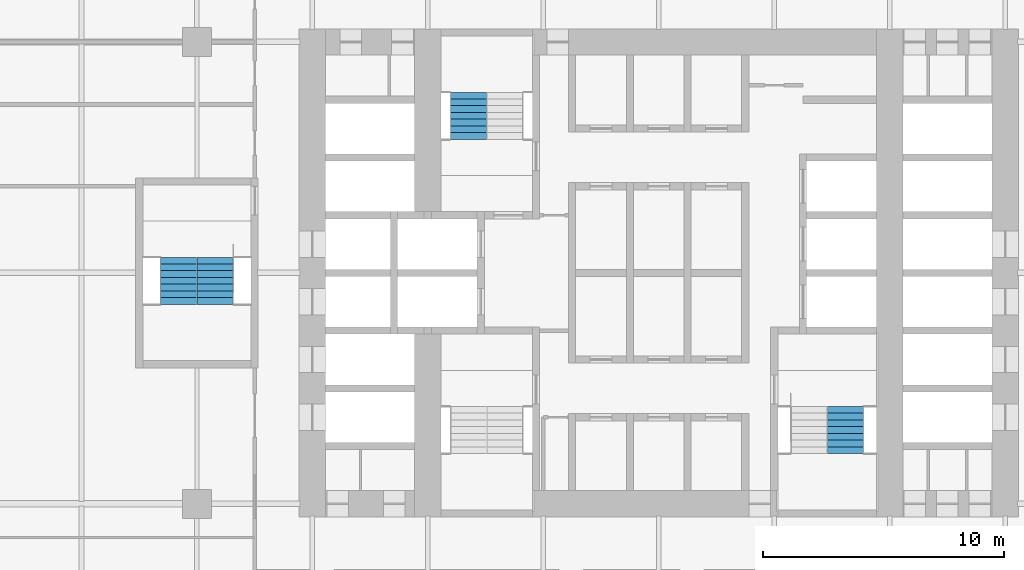
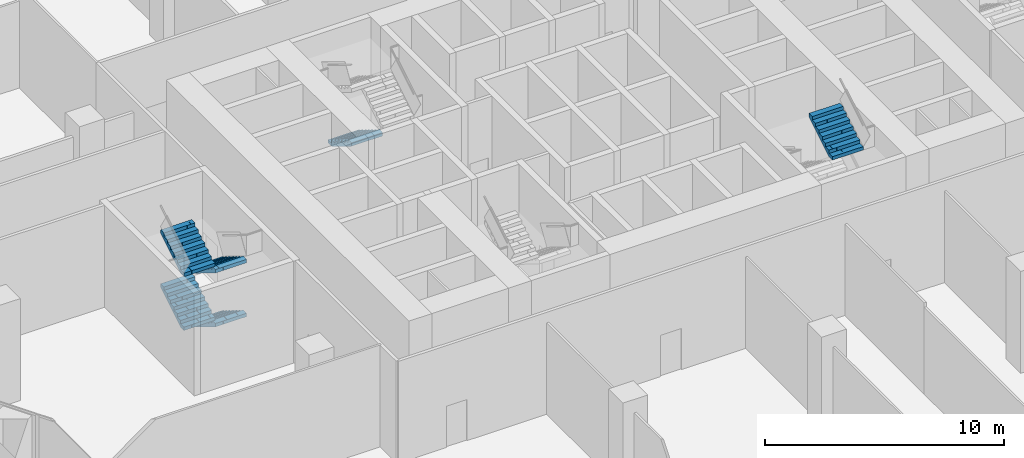
# One storey, part 27 of 32: 6 stair flights, 3 elements without a shape of their own.
"""IFC4 building model written with IfcOpenShell, lengths in metres."""

from ifc_helpers import new_model, si_unit, direction, frame, origin, place, context, subcontext, project, spatial, polyline, outline, extrude, material, type_object, element, aggregate, save


model = new_model("IFC4")

# Units and contexts
model_context = context("Model", 3, precision=1e-05, world=origin(), true_north=direction((0.0, 1.0)))
body_context = subcontext(model_context, "Body", "Model", "MODEL_VIEW")
ifc_project = project(units=[si_unit("LENGTHUNIT", "METRE"), si_unit("AREAUNIT", "SQUARE_METRE"), si_unit("VOLUMEUNIT", "CUBIC_METRE"), si_unit("PLANEANGLEUNIT", "RADIAN"), si_unit("MASSUNIT", "GRAM", prefix="KILO")], contexts=[model_context])

# Site, building, storey
site_placement = place(None, origin())
site = spatial("IfcSite", under=ifc_project, at=site_placement, CompositionType="ELEMENT")
building_placement = place(site_placement, origin())
building = spatial("IfcBuilding", under=site, at=building_placement, Name="Kolab Exchange Tower", CompositionType="ELEMENT")
storey_placement = place(building_placement, frame((0.0, 0.0, 60.89990234375)))
storey = spatial("IfcBuildingStorey", under=building, at=storey_placement, Name="L11", CompositionType="ELEMENT", Elevation=60.89990234375)

# Stair, stair flight
ifc_material = material(Name="Concrete C50/60", Category="concrete")
stair_type_1 = type_object("IfcStairType", Name="STAIR ST1 RISER 171.9", PredefinedType="DOUBLE_RETURN_STAIR", material=ifc_material)
stair_1_placement = place(storey_placement, origin())
stair_1 = element("IfcStair", 1, at=stair_1_placement, inside=storey, type_object=stair_type_1, Name="Stair 1", PredefinedType="DOUBLE_RETURN_STAIR")
stair_flight_type = type_object("IfcStairFlightType", Name="STAIR FLIGHT 1500 RISER 171.9", PredefinedType="STRAIGHT", material=ifc_material)
stair_flight_1_placement = place(storey_placement, frame((-7.909912109375, 7.510009765625, 1.375), z_axis=(0.0, 0.0, 1.0), x_axis=(0.0, -1.0, 0.0)))
stair_flight_1 = element("IfcStairFlight", 2, at=stair_flight_1_placement, type_object=stair_flight_type, Name="ST1 flight 2", NumberOfRisers=8, NumberOfTreads=7, PredefinedType="STRAIGHT", RiserHeight=0.171875, TreadLength=0.28, context=body_context, shape_type="SweptSolid", body=[
    extrude(outline(polyline([(0.0, 0.0), (0.0, 0.171875), (0.280029296875, 0.171875), (0.280029296875, 0.34375), (0.56005859375, 0.34375), (0.56005859375, 0.515625), (0.840087890625, 0.515625), (0.840087890625, 0.6875), (1.1201171875, 0.6875), (1.1201171875, 0.859375), (1.39990234375, 0.859375), (1.39990234375, 1.03125), (1.679931640625, 1.03125), (1.679931640625, 1.203125), (1.9599609375, 1.203125), (1.9599609375, 1.375), (1.9599609375, 1.02734375), (0.28662109375, 0.0), (0.0, 0.0)])), frame((0.0, 0.75, 0.0), z_axis=(0.0, -1.0, 0.0), x_axis=(1.0, 0.0, 0.0)), (0.0, 0.0, 1.0), 0.185791015625),
    extrude(outline(polyline([(0.0, 0.0), (0.0, 0.171875), (0.280029296875, 0.171875), (0.280029296875, 0.34375), (0.56005859375, 0.34375), (0.56005859375, 0.515625), (0.840087890625, 0.515625), (0.840087890625, 0.6875), (1.1201171875, 0.6875), (1.1201171875, 0.859375), (1.39990234375, 0.859375), (1.39990234375, 1.03125), (1.679931640625, 1.03125), (1.679931640625, 1.203125), (1.9599609375, 1.203125), (1.9599609375, 1.375), (1.9599609375, 1.02734375), (0.28662109375, 0.0), (0.0, 0.0)])), frame((0.0, 0.562255859375, 0.0), z_axis=(0.0, -1.0, 0.0), x_axis=(1.0, 0.0, 0.0)), (0.0, 0.0, 1.0), 0.185791015625),
    extrude(outline(polyline([(0.0, 0.0), (0.0, 0.171875), (0.280029296875, 0.171875), (0.280029296875, 0.34375), (0.56005859375, 0.34375), (0.56005859375, 0.515625), (0.840087890625, 0.515625), (0.840087890625, 0.6875), (1.1201171875, 0.6875), (1.1201171875, 0.859375), (1.39990234375, 0.859375), (1.39990234375, 1.03125), (1.679931640625, 1.03125), (1.679931640625, 1.203125), (1.9599609375, 1.203125), (1.9599609375, 1.375), (1.9599609375, 1.02734375), (0.28662109375, 0.0), (0.0, 0.0)])), frame((0.0, 0.37451171875, 0.0), z_axis=(0.0, -1.0, 0.0), x_axis=(1.0, 0.0, 0.0)), (0.0, 0.0, 1.0), 0.185791015625),
    extrude(outline(polyline([(0.0, 0.0), (0.0, 0.171875), (0.280029296875, 0.171875), (0.280029296875, 0.34375), (0.56005859375, 0.34375), (0.56005859375, 0.515625), (0.840087890625, 0.515625), (0.840087890625, 0.6875), (1.1201171875, 0.6875), (1.1201171875, 0.859375), (1.39990234375, 0.859375), (1.39990234375, 1.03125), (1.679931640625, 1.03125), (1.679931640625, 1.203125), (1.9599609375, 1.203125), (1.9599609375, 1.375), (1.9599609375, 1.02734375), (0.28662109375, 0.0), (0.0, 0.0)])), frame((0.0, 0.186767578125, 0.0), z_axis=(0.0, -1.0, 0.0), x_axis=(1.0, 0.0, 0.0)), (0.0, 0.0, 1.0), 0.185791015625),
    extrude(outline(polyline([(0.0, 0.0), (0.0, 0.171875), (0.280029296875, 0.171875), (0.280029296875, 0.34375), (0.56005859375, 0.34375), (0.56005859375, 0.515625), (0.840087890625, 0.515625), (0.840087890625, 0.6875), (1.1201171875, 0.6875), (1.1201171875, 0.859375), (1.39990234375, 0.859375), (1.39990234375, 1.03125), (1.679931640625, 1.03125), (1.679931640625, 1.203125), (1.9599609375, 1.203125), (1.9599609375, 1.375), (1.9599609375, 1.02734375), (0.28662109375, 0.0), (0.0, 0.0)])), frame((0.0, -0.0009765625, 0.0), z_axis=(0.0, -1.0, 0.0), x_axis=(1.0, 0.0, 0.0)), (0.0, 0.0, 1.0), 0.185791015625),
    extrude(outline(polyline([(0.0, 0.0), (0.0, 0.171875), (0.280029296875, 0.171875), (0.280029296875, 0.34375), (0.56005859375, 0.34375), (0.56005859375, 0.515625), (0.840087890625, 0.515625), (0.840087890625, 0.6875), (1.1201171875, 0.6875), (1.1201171875, 0.859375), (1.39990234375, 0.859375), (1.39990234375, 1.03125), (1.679931640625, 1.03125), (1.679931640625, 1.203125), (1.9599609375, 1.203125), (1.9599609375, 1.375), (1.9599609375, 1.02734375), (0.28662109375, 0.0), (0.0, 0.0)])), frame((0.0, -0.188720703125, 0.0), z_axis=(0.0, -1.0, 0.0), x_axis=(1.0, 0.0, 0.0)), (0.0, 0.0, 1.0), 0.185791015625),
    extrude(outline(polyline([(0.0, 0.0), (0.0, 0.171875), (0.280029296875, 0.171875), (0.280029296875, 0.34375), (0.56005859375, 0.34375), (0.56005859375, 0.515625), (0.840087890625, 0.515625), (0.840087890625, 0.6875), (1.1201171875, 0.6875), (1.1201171875, 0.859375), (1.39990234375, 0.859375), (1.39990234375, 1.03125), (1.679931640625, 1.03125), (1.679931640625, 1.203125), (1.9599609375, 1.203125), (1.9599609375, 1.375), (1.9599609375, 1.02734375), (0.28662109375, 0.0), (0.0, 0.0)])), frame((0.0, -0.37646484375, 0.0), z_axis=(0.0, -1.0, 0.0), x_axis=(1.0, 0.0, 0.0)), (0.0, 0.0, 1.0), 0.185791015625),
    extrude(outline(polyline([(0.0, 0.0), (0.0, 0.171875), (0.280029296875, 0.171875), (0.280029296875, 0.34375), (0.56005859375, 0.34375), (0.56005859375, 0.515625), (0.840087890625, 0.515625), (0.840087890625, 0.6875), (1.1201171875, 0.6875), (1.1201171875, 0.859375), (1.39990234375, 0.859375), (1.39990234375, 1.03125), (1.679931640625, 1.03125), (1.679931640625, 1.203125), (1.9599609375, 1.203125), (1.9599609375, 1.375), (1.9599609375, 1.02734375), (0.28662109375, 0.0), (0.0, 0.0)])), frame((0.0, -0.564208984375, 0.0), z_axis=(0.0, -1.0, 0.0), x_axis=(1.0, 0.0, 0.0)), (0.0, 0.0, 1.0), 0.185791015625),
])
aggregate(stair_1, [stair_flight_1])

stair_type_2 = type_object("IfcStairType", Name="STAIR ST2 RISER 171.9", PredefinedType="DOUBLE_RETURN_STAIR", material=ifc_material)
stair_2_placement = place(storey_placement, origin())
stair_2 = element("IfcStair", 3, at=stair_2_placement, inside=storey, type_object=stair_type_2, Name="Stair 2", PredefinedType="DOUBLE_RETURN_STAIR")
stair_flight_2_placement = place(storey_placement, frame((7.760009765625, -7.510009765625, 4.125), z_axis=(0.0, 0.0, 1.0), x_axis=(0.0, 1.0, 0.0)))
stair_flight_2 = element("IfcStairFlight", 4, at=stair_flight_2_placement, type_object=stair_flight_type, Name="ST2 flight 4", NumberOfRisers=8, NumberOfTreads=7, PredefinedType="STRAIGHT", RiserHeight=0.171875, TreadLength=0.28, context=body_context, shape_type="SweptSolid", body=[
    extrude(outline(polyline([(0.0, 0.0), (0.0, 0.171875), (0.280029296875, 0.171875), (0.280029296875, 0.34375), (0.56005859375, 0.34375), (0.56005859375, 0.515625), (0.840087890625, 0.515625), (0.840087890625, 0.6875), (1.1201171875, 0.6875), (1.1201171875, 0.859375), (1.39990234375, 0.859375), (1.39990234375, 1.03125), (1.679931640625, 1.03125), (1.679931640625, 1.203125), (1.9599609375, 1.203125), (1.9599609375, 1.375), (1.9599609375, 1.02734375), (0.28662109375, 0.0), (0.0, 0.0)])), frame((0.0, 0.75, 0.0), z_axis=(0.0, -1.0, 0.0), x_axis=(1.0, 0.0, 0.0)), (0.0, 0.0, 1.0), 0.185791015625),
    extrude(outline(polyline([(0.0, 0.0), (0.0, 0.171875), (0.280029296875, 0.171875), (0.280029296875, 0.34375), (0.56005859375, 0.34375), (0.56005859375, 0.515625), (0.840087890625, 0.515625), (0.840087890625, 0.6875), (1.1201171875, 0.6875), (1.1201171875, 0.859375), (1.39990234375, 0.859375), (1.39990234375, 1.03125), (1.679931640625, 1.03125), (1.679931640625, 1.203125), (1.9599609375, 1.203125), (1.9599609375, 1.375), (1.9599609375, 1.02734375), (0.28662109375, 0.0), (0.0, 0.0)])), frame((0.0, 0.562255859375, 0.0), z_axis=(0.0, -1.0, 0.0), x_axis=(1.0, 0.0, 0.0)), (0.0, 0.0, 1.0), 0.185791015625),
    extrude(outline(polyline([(0.0, 0.0), (0.0, 0.171875), (0.280029296875, 0.171875), (0.280029296875, 0.34375), (0.56005859375, 0.34375), (0.56005859375, 0.515625), (0.840087890625, 0.515625), (0.840087890625, 0.6875), (1.1201171875, 0.6875), (1.1201171875, 0.859375), (1.39990234375, 0.859375), (1.39990234375, 1.03125), (1.679931640625, 1.03125), (1.679931640625, 1.203125), (1.9599609375, 1.203125), (1.9599609375, 1.375), (1.9599609375, 1.02734375), (0.28662109375, 0.0), (0.0, 0.0)])), frame((0.0, 0.37451171875, 0.0), z_axis=(0.0, -1.0, 0.0), x_axis=(1.0, 0.0, 0.0)), (0.0, 0.0, 1.0), 0.185791015625),
    extrude(outline(polyline([(0.0, 0.0), (0.0, 0.171875), (0.280029296875, 0.171875), (0.280029296875, 0.34375), (0.56005859375, 0.34375), (0.56005859375, 0.515625), (0.840087890625, 0.515625), (0.840087890625, 0.6875), (1.1201171875, 0.6875), (1.1201171875, 0.859375), (1.39990234375, 0.859375), (1.39990234375, 1.03125), (1.679931640625, 1.03125), (1.679931640625, 1.203125), (1.9599609375, 1.203125), (1.9599609375, 1.375), (1.9599609375, 1.02734375), (0.28662109375, 0.0), (0.0, 0.0)])), frame((0.0, 0.186767578125, 0.0), z_axis=(0.0, -1.0, 0.0), x_axis=(1.0, 0.0, 0.0)), (0.0, 0.0, 1.0), 0.185791015625),
    extrude(outline(polyline([(0.0, 0.0), (0.0, 0.171875), (0.280029296875, 0.171875), (0.280029296875, 0.34375), (0.56005859375, 0.34375), (0.56005859375, 0.515625), (0.840087890625, 0.515625), (0.840087890625, 0.6875), (1.1201171875, 0.6875), (1.1201171875, 0.859375), (1.39990234375, 0.859375), (1.39990234375, 1.03125), (1.679931640625, 1.03125), (1.679931640625, 1.203125), (1.9599609375, 1.203125), (1.9599609375, 1.375), (1.9599609375, 1.02734375), (0.28662109375, 0.0), (0.0, 0.0)])), frame((0.0, -0.0009765625, 0.0), z_axis=(0.0, -1.0, 0.0), x_axis=(1.0, 0.0, 0.0)), (0.0, 0.0, 1.0), 0.185791015625),
    extrude(outline(polyline([(0.0, 0.0), (0.0, 0.171875), (0.280029296875, 0.171875), (0.280029296875, 0.34375), (0.56005859375, 0.34375), (0.56005859375, 0.515625), (0.840087890625, 0.515625), (0.840087890625, 0.6875), (1.1201171875, 0.6875), (1.1201171875, 0.859375), (1.39990234375, 0.859375), (1.39990234375, 1.03125), (1.679931640625, 1.03125), (1.679931640625, 1.203125), (1.9599609375, 1.203125), (1.9599609375, 1.375), (1.9599609375, 1.02734375), (0.28662109375, 0.0), (0.0, 0.0)])), frame((0.0, -0.188720703125, 0.0), z_axis=(0.0, -1.0, 0.0), x_axis=(1.0, 0.0, 0.0)), (0.0, 0.0, 1.0), 0.185791015625),
    extrude(outline(polyline([(0.0, 0.0), (0.0, 0.171875), (0.280029296875, 0.171875), (0.280029296875, 0.34375), (0.56005859375, 0.34375), (0.56005859375, 0.515625), (0.840087890625, 0.515625), (0.840087890625, 0.6875), (1.1201171875, 0.6875), (1.1201171875, 0.859375), (1.39990234375, 0.859375), (1.39990234375, 1.03125), (1.679931640625, 1.03125), (1.679931640625, 1.203125), (1.9599609375, 1.203125), (1.9599609375, 1.375), (1.9599609375, 1.02734375), (0.28662109375, 0.0), (0.0, 0.0)])), frame((0.0, -0.37646484375, 0.0), z_axis=(0.0, -1.0, 0.0), x_axis=(1.0, 0.0, 0.0)), (0.0, 0.0, 1.0), 0.185791015625),
    extrude(outline(polyline([(0.0, 0.0), (0.0, 0.171875), (0.280029296875, 0.171875), (0.280029296875, 0.34375), (0.56005859375, 0.34375), (0.56005859375, 0.515625), (0.840087890625, 0.515625), (0.840087890625, 0.6875), (1.1201171875, 0.6875), (1.1201171875, 0.859375), (1.39990234375, 0.859375), (1.39990234375, 1.03125), (1.679931640625, 1.03125), (1.679931640625, 1.203125), (1.9599609375, 1.203125), (1.9599609375, 1.375), (1.9599609375, 1.02734375), (0.28662109375, 0.0), (0.0, 0.0)])), frame((0.0, -0.564208984375, 0.0), z_axis=(0.0, -1.0, 0.0), x_axis=(1.0, 0.0, 0.0)), (0.0, 0.0, 1.0), 0.185791015625),
])
aggregate(stair_2, [stair_flight_2])

# Stair, stair flights
stair_type_3 = type_object("IfcStairType", Name="STAIR ST5 RISER 171.9", PredefinedType="DOUBLE_RETURN_STAIR", material=ifc_material)
stair_3_placement = place(storey_placement, origin())
stair_3 = element("IfcStair", 5, at=stair_3_placement, inside=storey, type_object=stair_type_3, Name="Stair 5", PredefinedType="DOUBLE_RETURN_STAIR")
stair_flight_3_placement = place(storey_placement, frame((-18.43994140625, 0.64990234375, 0.0), z_axis=(0.0, 0.0, 1.0), x_axis=(0.0, -1.0, 0.0)))
stair_flight_3 = element("IfcStairFlight", 6, at=stair_flight_3_placement, type_object=stair_flight_type, Name="ST5 flight 1", NumberOfRisers=8, NumberOfTreads=7, PredefinedType="STRAIGHT", RiserHeight=0.171875, TreadLength=0.28, context=body_context, shape_type="SweptSolid", body=[
    extrude(outline(polyline([(0.0, 0.0), (0.0, 0.171875), (0.280029296875, 0.171875), (0.280029296875, 0.34375), (0.56005859375, 0.34375), (0.56005859375, 0.515625), (0.840087890625, 0.515625), (0.840087890625, 0.6875), (1.1201171875, 0.6875), (1.1201171875, 0.859375), (1.39990234375, 0.859375), (1.39990234375, 1.03125), (1.679931640625, 1.03125), (1.679931640625, 1.203125), (1.9599609375, 1.203125), (1.9599609375, 1.375), (1.9599609375, 1.02734375), (0.28662109375, 0.0), (0.0, 0.0)])), frame((0.0, 0.75, 0.0), z_axis=(0.0, -1.0, 0.0), x_axis=(1.0, 0.0, 0.0)), (0.0, 0.0, 1.0), 0.185791015625),
    extrude(outline(polyline([(0.0, 0.0), (0.0, 0.171875), (0.280029296875, 0.171875), (0.280029296875, 0.34375), (0.56005859375, 0.34375), (0.56005859375, 0.515625), (0.840087890625, 0.515625), (0.840087890625, 0.6875), (1.1201171875, 0.6875), (1.1201171875, 0.859375), (1.39990234375, 0.859375), (1.39990234375, 1.03125), (1.679931640625, 1.03125), (1.679931640625, 1.203125), (1.9599609375, 1.203125), (1.9599609375, 1.375), (1.9599609375, 1.02734375), (0.28662109375, 0.0), (0.0, 0.0)])), frame((0.0, 0.562255859375, 0.0), z_axis=(0.0, -1.0, 0.0), x_axis=(1.0, 0.0, 0.0)), (0.0, 0.0, 1.0), 0.185791015625),
    extrude(outline(polyline([(0.0, 0.0), (0.0, 0.171875), (0.280029296875, 0.171875), (0.280029296875, 0.34375), (0.56005859375, 0.34375), (0.56005859375, 0.515625), (0.840087890625, 0.515625), (0.840087890625, 0.6875), (1.1201171875, 0.6875), (1.1201171875, 0.859375), (1.39990234375, 0.859375), (1.39990234375, 1.03125), (1.679931640625, 1.03125), (1.679931640625, 1.203125), (1.9599609375, 1.203125), (1.9599609375, 1.375), (1.9599609375, 1.02734375), (0.28662109375, 0.0), (0.0, 0.0)])), frame((0.0, 0.37451171875, 0.0), z_axis=(0.0, -1.0, 0.0), x_axis=(1.0, 0.0, 0.0)), (0.0, 0.0, 1.0), 0.185791015625),
    extrude(outline(polyline([(0.0, 0.0), (0.0, 0.171875), (0.280029296875, 0.171875), (0.280029296875, 0.34375), (0.56005859375, 0.34375), (0.56005859375, 0.515625), (0.840087890625, 0.515625), (0.840087890625, 0.6875), (1.1201171875, 0.6875), (1.1201171875, 0.859375), (1.39990234375, 0.859375), (1.39990234375, 1.03125), (1.679931640625, 1.03125), (1.679931640625, 1.203125), (1.9599609375, 1.203125), (1.9599609375, 1.375), (1.9599609375, 1.02734375), (0.28662109375, 0.0), (0.0, 0.0)])), frame((0.0, 0.186767578125, 0.0), z_axis=(0.0, -1.0, 0.0), x_axis=(1.0, 0.0, 0.0)), (0.0, 0.0, 1.0), 0.185791015625),
    extrude(outline(polyline([(0.0, 0.0), (0.0, 0.171875), (0.280029296875, 0.171875), (0.280029296875, 0.34375), (0.56005859375, 0.34375), (0.56005859375, 0.515625), (0.840087890625, 0.515625), (0.840087890625, 0.6875), (1.1201171875, 0.6875), (1.1201171875, 0.859375), (1.39990234375, 0.859375), (1.39990234375, 1.03125), (1.679931640625, 1.03125), (1.679931640625, 1.203125), (1.9599609375, 1.203125), (1.9599609375, 1.375), (1.9599609375, 1.02734375), (0.28662109375, 0.0), (0.0, 0.0)])), frame((0.0, -0.0009765625, 0.0), z_axis=(0.0, -1.0, 0.0), x_axis=(1.0, 0.0, 0.0)), (0.0, 0.0, 1.0), 0.185791015625),
    extrude(outline(polyline([(0.0, 0.0), (0.0, 0.171875), (0.280029296875, 0.171875), (0.280029296875, 0.34375), (0.56005859375, 0.34375), (0.56005859375, 0.515625), (0.840087890625, 0.515625), (0.840087890625, 0.6875), (1.1201171875, 0.6875), (1.1201171875, 0.859375), (1.39990234375, 0.859375), (1.39990234375, 1.03125), (1.679931640625, 1.03125), (1.679931640625, 1.203125), (1.9599609375, 1.203125), (1.9599609375, 1.375), (1.9599609375, 1.02734375), (0.28662109375, 0.0), (0.0, 0.0)])), frame((0.0, -0.188720703125, 0.0), z_axis=(0.0, -1.0, 0.0), x_axis=(1.0, 0.0, 0.0)), (0.0, 0.0, 1.0), 0.185791015625),
    extrude(outline(polyline([(0.0, 0.0), (0.0, 0.171875), (0.280029296875, 0.171875), (0.280029296875, 0.34375), (0.56005859375, 0.34375), (0.56005859375, 0.515625), (0.840087890625, 0.515625), (0.840087890625, 0.6875), (1.1201171875, 0.6875), (1.1201171875, 0.859375), (1.39990234375, 0.859375), (1.39990234375, 1.03125), (1.679931640625, 1.03125), (1.679931640625, 1.203125), (1.9599609375, 1.203125), (1.9599609375, 1.375), (1.9599609375, 1.02734375), (0.28662109375, 0.0), (0.0, 0.0)])), frame((0.0, -0.37646484375, 0.0), z_axis=(0.0, -1.0, 0.0), x_axis=(1.0, 0.0, 0.0)), (0.0, 0.0, 1.0), 0.185791015625),
    extrude(outline(polyline([(0.0, 0.0), (0.0, 0.171875), (0.280029296875, 0.171875), (0.280029296875, 0.34375), (0.56005859375, 0.34375), (0.56005859375, 0.515625), (0.840087890625, 0.515625), (0.840087890625, 0.6875), (1.1201171875, 0.6875), (1.1201171875, 0.859375), (1.39990234375, 0.859375), (1.39990234375, 1.03125), (1.679931640625, 1.03125), (1.679931640625, 1.203125), (1.9599609375, 1.203125), (1.9599609375, 1.375), (1.9599609375, 1.02734375), (0.28662109375, 0.0), (0.0, 0.0)])), frame((0.0, -0.564208984375, 0.0), z_axis=(0.0, -1.0, 0.0), x_axis=(1.0, 0.0, 0.0)), (0.0, 0.0, 1.0), 0.185791015625),
])
stair_flight_4_placement = place(storey_placement, frame((-19.9599609375, -1.31005859375, 1.375), z_axis=(0.0, 0.0, 1.0), x_axis=(0.0, 1.0, 0.0)))
stair_flight_4 = element("IfcStairFlight", 7, at=stair_flight_4_placement, type_object=stair_flight_type, Name="ST5 flight 2", NumberOfRisers=8, NumberOfTreads=7, PredefinedType="STRAIGHT", RiserHeight=0.171875, TreadLength=0.28, context=body_context, shape_type="SweptSolid", body=[
    extrude(outline(polyline([(0.0, 0.0), (0.0, 0.171875), (0.280029296875, 0.171875), (0.280029296875, 0.34375), (0.56005859375, 0.34375), (0.56005859375, 0.515625), (0.840087890625, 0.515625), (0.840087890625, 0.6875), (1.1201171875, 0.6875), (1.1201171875, 0.859375), (1.39990234375, 0.859375), (1.39990234375, 1.03125), (1.679931640625, 1.03125), (1.679931640625, 1.203125), (1.9599609375, 1.203125), (1.9599609375, 1.375), (1.9599609375, 1.02734375), (0.28662109375, 0.0), (0.0, 0.0)])), frame((0.0, 0.75, 0.0), z_axis=(0.0, -1.0, 0.0), x_axis=(1.0, 0.0, 0.0)), (0.0, 0.0, 1.0), 0.185791015625),
    extrude(outline(polyline([(0.0, 0.0), (0.0, 0.171875), (0.280029296875, 0.171875), (0.280029296875, 0.34375), (0.56005859375, 0.34375), (0.56005859375, 0.515625), (0.840087890625, 0.515625), (0.840087890625, 0.6875), (1.1201171875, 0.6875), (1.1201171875, 0.859375), (1.39990234375, 0.859375), (1.39990234375, 1.03125), (1.679931640625, 1.03125), (1.679931640625, 1.203125), (1.9599609375, 1.203125), (1.9599609375, 1.375), (1.9599609375, 1.02734375), (0.28662109375, 0.0), (0.0, 0.0)])), frame((0.0, 0.562255859375, 0.0), z_axis=(0.0, -1.0, 0.0), x_axis=(1.0, 0.0, 0.0)), (0.0, 0.0, 1.0), 0.185791015625),
    extrude(outline(polyline([(0.0, 0.0), (0.0, 0.171875), (0.280029296875, 0.171875), (0.280029296875, 0.34375), (0.56005859375, 0.34375), (0.56005859375, 0.515625), (0.840087890625, 0.515625), (0.840087890625, 0.6875), (1.1201171875, 0.6875), (1.1201171875, 0.859375), (1.39990234375, 0.859375), (1.39990234375, 1.03125), (1.679931640625, 1.03125), (1.679931640625, 1.203125), (1.9599609375, 1.203125), (1.9599609375, 1.375), (1.9599609375, 1.02734375), (0.28662109375, 0.0), (0.0, 0.0)])), frame((0.0, 0.37451171875, 0.0), z_axis=(0.0, -1.0, 0.0), x_axis=(1.0, 0.0, 0.0)), (0.0, 0.0, 1.0), 0.185791015625),
    extrude(outline(polyline([(0.0, 0.0), (0.0, 0.171875), (0.280029296875, 0.171875), (0.280029296875, 0.34375), (0.56005859375, 0.34375), (0.56005859375, 0.515625), (0.840087890625, 0.515625), (0.840087890625, 0.6875), (1.1201171875, 0.6875), (1.1201171875, 0.859375), (1.39990234375, 0.859375), (1.39990234375, 1.03125), (1.679931640625, 1.03125), (1.679931640625, 1.203125), (1.9599609375, 1.203125), (1.9599609375, 1.375), (1.9599609375, 1.02734375), (0.28662109375, 0.0), (0.0, 0.0)])), frame((0.0, 0.186767578125, 0.0), z_axis=(0.0, -1.0, 0.0), x_axis=(1.0, 0.0, 0.0)), (0.0, 0.0, 1.0), 0.185791015625),
    extrude(outline(polyline([(0.0, 0.0), (0.0, 0.171875), (0.280029296875, 0.171875), (0.280029296875, 0.34375), (0.56005859375, 0.34375), (0.56005859375, 0.515625), (0.840087890625, 0.515625), (0.840087890625, 0.6875), (1.1201171875, 0.6875), (1.1201171875, 0.859375), (1.39990234375, 0.859375), (1.39990234375, 1.03125), (1.679931640625, 1.03125), (1.679931640625, 1.203125), (1.9599609375, 1.203125), (1.9599609375, 1.375), (1.9599609375, 1.02734375), (0.28662109375, 0.0), (0.0, 0.0)])), frame((0.0, -0.0009765625, 0.0), z_axis=(0.0, -1.0, 0.0), x_axis=(1.0, 0.0, 0.0)), (0.0, 0.0, 1.0), 0.185791015625),
    extrude(outline(polyline([(0.0, 0.0), (0.0, 0.171875), (0.280029296875, 0.171875), (0.280029296875, 0.34375), (0.56005859375, 0.34375), (0.56005859375, 0.515625), (0.840087890625, 0.515625), (0.840087890625, 0.6875), (1.1201171875, 0.6875), (1.1201171875, 0.859375), (1.39990234375, 0.859375), (1.39990234375, 1.03125), (1.679931640625, 1.03125), (1.679931640625, 1.203125), (1.9599609375, 1.203125), (1.9599609375, 1.375), (1.9599609375, 1.02734375), (0.28662109375, 0.0), (0.0, 0.0)])), frame((0.0, -0.188720703125, 0.0), z_axis=(0.0, -1.0, 0.0), x_axis=(1.0, 0.0, 0.0)), (0.0, 0.0, 1.0), 0.185791015625),
    extrude(outline(polyline([(0.0, 0.0), (0.0, 0.171875), (0.280029296875, 0.171875), (0.280029296875, 0.34375), (0.56005859375, 0.34375), (0.56005859375, 0.515625), (0.840087890625, 0.515625), (0.840087890625, 0.6875), (1.1201171875, 0.6875), (1.1201171875, 0.859375), (1.39990234375, 0.859375), (1.39990234375, 1.03125), (1.679931640625, 1.03125), (1.679931640625, 1.203125), (1.9599609375, 1.203125), (1.9599609375, 1.375), (1.9599609375, 1.02734375), (0.28662109375, 0.0), (0.0, 0.0)])), frame((0.0, -0.37646484375, 0.0), z_axis=(0.0, -1.0, 0.0), x_axis=(1.0, 0.0, 0.0)), (0.0, 0.0, 1.0), 0.185791015625),
    extrude(outline(polyline([(0.0, 0.0), (0.0, 0.171875), (0.280029296875, 0.171875), (0.280029296875, 0.34375), (0.56005859375, 0.34375), (0.56005859375, 0.515625), (0.840087890625, 0.515625), (0.840087890625, 0.6875), (1.1201171875, 0.6875), (1.1201171875, 0.859375), (1.39990234375, 0.859375), (1.39990234375, 1.03125), (1.679931640625, 1.03125), (1.679931640625, 1.203125), (1.9599609375, 1.203125), (1.9599609375, 1.375), (1.9599609375, 1.02734375), (0.28662109375, 0.0), (0.0, 0.0)])), frame((0.0, -0.564208984375, 0.0), z_axis=(0.0, -1.0, 0.0), x_axis=(1.0, 0.0, 0.0)), (0.0, 0.0, 1.0), 0.185791015625),
])
stair_flight_5_placement = place(storey_placement, frame((-18.43994140625, 0.64990234375, 2.75), z_axis=(0.0, 0.0, 1.0), x_axis=(0.0, -1.0, 0.0)))
stair_flight_5 = element("IfcStairFlight", 8, at=stair_flight_5_placement, type_object=stair_flight_type, Name="ST5 flight 3", NumberOfRisers=8, NumberOfTreads=7, PredefinedType="STRAIGHT", RiserHeight=0.171875, TreadLength=0.28, context=body_context, shape_type="SweptSolid", body=[
    extrude(outline(polyline([(0.0, 0.0), (0.0, 0.171875), (0.280029296875, 0.171875), (0.280029296875, 0.34375), (0.56005859375, 0.34375), (0.56005859375, 0.515625), (0.840087890625, 0.515625), (0.840087890625, 0.6875), (1.1201171875, 0.6875), (1.1201171875, 0.859375), (1.39990234375, 0.859375), (1.39990234375, 1.03125), (1.679931640625, 1.03125), (1.679931640625, 1.203125), (1.9599609375, 1.203125), (1.9599609375, 1.375), (1.9599609375, 1.02734375), (0.28662109375, 0.0), (0.0, 0.0)])), frame((0.0, 0.75, 0.0), z_axis=(0.0, -1.0, 0.0), x_axis=(1.0, 0.0, 0.0)), (0.0, 0.0, 1.0), 0.185791015625),
    extrude(outline(polyline([(0.0, 0.0), (0.0, 0.171875), (0.280029296875, 0.171875), (0.280029296875, 0.34375), (0.56005859375, 0.34375), (0.56005859375, 0.515625), (0.840087890625, 0.515625), (0.840087890625, 0.6875), (1.1201171875, 0.6875), (1.1201171875, 0.859375), (1.39990234375, 0.859375), (1.39990234375, 1.03125), (1.679931640625, 1.03125), (1.679931640625, 1.203125), (1.9599609375, 1.203125), (1.9599609375, 1.375), (1.9599609375, 1.02734375), (0.28662109375, 0.0), (0.0, 0.0)])), frame((0.0, 0.562255859375, 0.0), z_axis=(0.0, -1.0, 0.0), x_axis=(1.0, 0.0, 0.0)), (0.0, 0.0, 1.0), 0.185791015625),
    extrude(outline(polyline([(0.0, 0.0), (0.0, 0.171875), (0.280029296875, 0.171875), (0.280029296875, 0.34375), (0.56005859375, 0.34375), (0.56005859375, 0.515625), (0.840087890625, 0.515625), (0.840087890625, 0.6875), (1.1201171875, 0.6875), (1.1201171875, 0.859375), (1.39990234375, 0.859375), (1.39990234375, 1.03125), (1.679931640625, 1.03125), (1.679931640625, 1.203125), (1.9599609375, 1.203125), (1.9599609375, 1.375), (1.9599609375, 1.02734375), (0.28662109375, 0.0), (0.0, 0.0)])), frame((0.0, 0.37451171875, 0.0), z_axis=(0.0, -1.0, 0.0), x_axis=(1.0, 0.0, 0.0)), (0.0, 0.0, 1.0), 0.185791015625),
    extrude(outline(polyline([(0.0, 0.0), (0.0, 0.171875), (0.280029296875, 0.171875), (0.280029296875, 0.34375), (0.56005859375, 0.34375), (0.56005859375, 0.515625), (0.840087890625, 0.515625), (0.840087890625, 0.6875), (1.1201171875, 0.6875), (1.1201171875, 0.859375), (1.39990234375, 0.859375), (1.39990234375, 1.03125), (1.679931640625, 1.03125), (1.679931640625, 1.203125), (1.9599609375, 1.203125), (1.9599609375, 1.375), (1.9599609375, 1.02734375), (0.28662109375, 0.0), (0.0, 0.0)])), frame((0.0, 0.186767578125, 0.0), z_axis=(0.0, -1.0, 0.0), x_axis=(1.0, 0.0, 0.0)), (0.0, 0.0, 1.0), 0.185791015625),
    extrude(outline(polyline([(0.0, 0.0), (0.0, 0.171875), (0.280029296875, 0.171875), (0.280029296875, 0.34375), (0.56005859375, 0.34375), (0.56005859375, 0.515625), (0.840087890625, 0.515625), (0.840087890625, 0.6875), (1.1201171875, 0.6875), (1.1201171875, 0.859375), (1.39990234375, 0.859375), (1.39990234375, 1.03125), (1.679931640625, 1.03125), (1.679931640625, 1.203125), (1.9599609375, 1.203125), (1.9599609375, 1.375), (1.9599609375, 1.02734375), (0.28662109375, 0.0), (0.0, 0.0)])), frame((0.0, -0.0009765625, 0.0), z_axis=(0.0, -1.0, 0.0), x_axis=(1.0, 0.0, 0.0)), (0.0, 0.0, 1.0), 0.185791015625),
    extrude(outline(polyline([(0.0, 0.0), (0.0, 0.171875), (0.280029296875, 0.171875), (0.280029296875, 0.34375), (0.56005859375, 0.34375), (0.56005859375, 0.515625), (0.840087890625, 0.515625), (0.840087890625, 0.6875), (1.1201171875, 0.6875), (1.1201171875, 0.859375), (1.39990234375, 0.859375), (1.39990234375, 1.03125), (1.679931640625, 1.03125), (1.679931640625, 1.203125), (1.9599609375, 1.203125), (1.9599609375, 1.375), (1.9599609375, 1.02734375), (0.28662109375, 0.0), (0.0, 0.0)])), frame((0.0, -0.188720703125, 0.0), z_axis=(0.0, -1.0, 0.0), x_axis=(1.0, 0.0, 0.0)), (0.0, 0.0, 1.0), 0.185791015625),
    extrude(outline(polyline([(0.0, 0.0), (0.0, 0.171875), (0.280029296875, 0.171875), (0.280029296875, 0.34375), (0.56005859375, 0.34375), (0.56005859375, 0.515625), (0.840087890625, 0.515625), (0.840087890625, 0.6875), (1.1201171875, 0.6875), (1.1201171875, 0.859375), (1.39990234375, 0.859375), (1.39990234375, 1.03125), (1.679931640625, 1.03125), (1.679931640625, 1.203125), (1.9599609375, 1.203125), (1.9599609375, 1.375), (1.9599609375, 1.02734375), (0.28662109375, 0.0), (0.0, 0.0)])), frame((0.0, -0.37646484375, 0.0), z_axis=(0.0, -1.0, 0.0), x_axis=(1.0, 0.0, 0.0)), (0.0, 0.0, 1.0), 0.185791015625),
    extrude(outline(polyline([(0.0, 0.0), (0.0, 0.171875), (0.280029296875, 0.171875), (0.280029296875, 0.34375), (0.56005859375, 0.34375), (0.56005859375, 0.515625), (0.840087890625, 0.515625), (0.840087890625, 0.6875), (1.1201171875, 0.6875), (1.1201171875, 0.859375), (1.39990234375, 0.859375), (1.39990234375, 1.03125), (1.679931640625, 1.03125), (1.679931640625, 1.203125), (1.9599609375, 1.203125), (1.9599609375, 1.375), (1.9599609375, 1.02734375), (0.28662109375, 0.0), (0.0, 0.0)])), frame((0.0, -0.564208984375, 0.0), z_axis=(0.0, -1.0, 0.0), x_axis=(1.0, 0.0, 0.0)), (0.0, 0.0, 1.0), 0.185791015625),
])
stair_flight_6_placement = place(storey_placement, frame((-19.9599609375, -1.31005859375, 4.125), z_axis=(0.0, 0.0, 1.0), x_axis=(0.0, 1.0, 0.0)))
stair_flight_6 = element("IfcStairFlight", 9, at=stair_flight_6_placement, type_object=stair_flight_type, Name="ST5 flight 4", NumberOfRisers=8, NumberOfTreads=7, PredefinedType="STRAIGHT", RiserHeight=0.171875, TreadLength=0.28, context=body_context, shape_type="SweptSolid", body=[
    extrude(outline(polyline([(0.0, 0.0), (0.0, 0.171875), (0.280029296875, 0.171875), (0.280029296875, 0.34375), (0.56005859375, 0.34375), (0.56005859375, 0.515625), (0.840087890625, 0.515625), (0.840087890625, 0.6875), (1.1201171875, 0.6875), (1.1201171875, 0.859375), (1.39990234375, 0.859375), (1.39990234375, 1.03125), (1.679931640625, 1.03125), (1.679931640625, 1.203125), (1.9599609375, 1.203125), (1.9599609375, 1.375), (1.9599609375, 1.02734375), (0.28662109375, 0.0), (0.0, 0.0)])), frame((0.0, 0.75, 0.0), z_axis=(0.0, -1.0, 0.0), x_axis=(1.0, 0.0, 0.0)), (0.0, 0.0, 1.0), 0.185791015625),
    extrude(outline(polyline([(0.0, 0.0), (0.0, 0.171875), (0.280029296875, 0.171875), (0.280029296875, 0.34375), (0.56005859375, 0.34375), (0.56005859375, 0.515625), (0.840087890625, 0.515625), (0.840087890625, 0.6875), (1.1201171875, 0.6875), (1.1201171875, 0.859375), (1.39990234375, 0.859375), (1.39990234375, 1.03125), (1.679931640625, 1.03125), (1.679931640625, 1.203125), (1.9599609375, 1.203125), (1.9599609375, 1.375), (1.9599609375, 1.02734375), (0.28662109375, 0.0), (0.0, 0.0)])), frame((0.0, 0.562255859375, 0.0), z_axis=(0.0, -1.0, 0.0), x_axis=(1.0, 0.0, 0.0)), (0.0, 0.0, 1.0), 0.185791015625),
    extrude(outline(polyline([(0.0, 0.0), (0.0, 0.171875), (0.280029296875, 0.171875), (0.280029296875, 0.34375), (0.56005859375, 0.34375), (0.56005859375, 0.515625), (0.840087890625, 0.515625), (0.840087890625, 0.6875), (1.1201171875, 0.6875), (1.1201171875, 0.859375), (1.39990234375, 0.859375), (1.39990234375, 1.03125), (1.679931640625, 1.03125), (1.679931640625, 1.203125), (1.9599609375, 1.203125), (1.9599609375, 1.375), (1.9599609375, 1.02734375), (0.28662109375, 0.0), (0.0, 0.0)])), frame((0.0, 0.37451171875, 0.0), z_axis=(0.0, -1.0, 0.0), x_axis=(1.0, 0.0, 0.0)), (0.0, 0.0, 1.0), 0.185791015625),
    extrude(outline(polyline([(0.0, 0.0), (0.0, 0.171875), (0.280029296875, 0.171875), (0.280029296875, 0.34375), (0.56005859375, 0.34375), (0.56005859375, 0.515625), (0.840087890625, 0.515625), (0.840087890625, 0.6875), (1.1201171875, 0.6875), (1.1201171875, 0.859375), (1.39990234375, 0.859375), (1.39990234375, 1.03125), (1.679931640625, 1.03125), (1.679931640625, 1.203125), (1.9599609375, 1.203125), (1.9599609375, 1.375), (1.9599609375, 1.02734375), (0.28662109375, 0.0), (0.0, 0.0)])), frame((0.0, 0.186767578125, 0.0), z_axis=(0.0, -1.0, 0.0), x_axis=(1.0, 0.0, 0.0)), (0.0, 0.0, 1.0), 0.185791015625),
    extrude(outline(polyline([(0.0, 0.0), (0.0, 0.171875), (0.280029296875, 0.171875), (0.280029296875, 0.34375), (0.56005859375, 0.34375), (0.56005859375, 0.515625), (0.840087890625, 0.515625), (0.840087890625, 0.6875), (1.1201171875, 0.6875), (1.1201171875, 0.859375), (1.39990234375, 0.859375), (1.39990234375, 1.03125), (1.679931640625, 1.03125), (1.679931640625, 1.203125), (1.9599609375, 1.203125), (1.9599609375, 1.375), (1.9599609375, 1.02734375), (0.28662109375, 0.0), (0.0, 0.0)])), frame((0.0, -0.0009765625, 0.0), z_axis=(0.0, -1.0, 0.0), x_axis=(1.0, 0.0, 0.0)), (0.0, 0.0, 1.0), 0.185791015625),
    extrude(outline(polyline([(0.0, 0.0), (0.0, 0.171875), (0.280029296875, 0.171875), (0.280029296875, 0.34375), (0.56005859375, 0.34375), (0.56005859375, 0.515625), (0.840087890625, 0.515625), (0.840087890625, 0.6875), (1.1201171875, 0.6875), (1.1201171875, 0.859375), (1.39990234375, 0.859375), (1.39990234375, 1.03125), (1.679931640625, 1.03125), (1.679931640625, 1.203125), (1.9599609375, 1.203125), (1.9599609375, 1.375), (1.9599609375, 1.02734375), (0.28662109375, 0.0), (0.0, 0.0)])), frame((0.0, -0.188720703125, 0.0), z_axis=(0.0, -1.0, 0.0), x_axis=(1.0, 0.0, 0.0)), (0.0, 0.0, 1.0), 0.185791015625),
    extrude(outline(polyline([(0.0, 0.0), (0.0, 0.171875), (0.280029296875, 0.171875), (0.280029296875, 0.34375), (0.56005859375, 0.34375), (0.56005859375, 0.515625), (0.840087890625, 0.515625), (0.840087890625, 0.6875), (1.1201171875, 0.6875), (1.1201171875, 0.859375), (1.39990234375, 0.859375), (1.39990234375, 1.03125), (1.679931640625, 1.03125), (1.679931640625, 1.203125), (1.9599609375, 1.203125), (1.9599609375, 1.375), (1.9599609375, 1.02734375), (0.28662109375, 0.0), (0.0, 0.0)])), frame((0.0, -0.37646484375, 0.0), z_axis=(0.0, -1.0, 0.0), x_axis=(1.0, 0.0, 0.0)), (0.0, 0.0, 1.0), 0.185791015625),
    extrude(outline(polyline([(0.0, 0.0), (0.0, 0.171875), (0.280029296875, 0.171875), (0.280029296875, 0.34375), (0.56005859375, 0.34375), (0.56005859375, 0.515625), (0.840087890625, 0.515625), (0.840087890625, 0.6875), (1.1201171875, 0.6875), (1.1201171875, 0.859375), (1.39990234375, 0.859375), (1.39990234375, 1.03125), (1.679931640625, 1.03125), (1.679931640625, 1.203125), (1.9599609375, 1.203125), (1.9599609375, 1.375), (1.9599609375, 1.02734375), (0.28662109375, 0.0), (0.0, 0.0)])), frame((0.0, -0.564208984375, 0.0), z_axis=(0.0, -1.0, 0.0), x_axis=(1.0, 0.0, 0.0)), (0.0, 0.0, 1.0), 0.185791015625),
])
aggregate(stair_3, [stair_flight_3, stair_flight_4, stair_flight_5, stair_flight_6])

save(model, "model.ifc")
